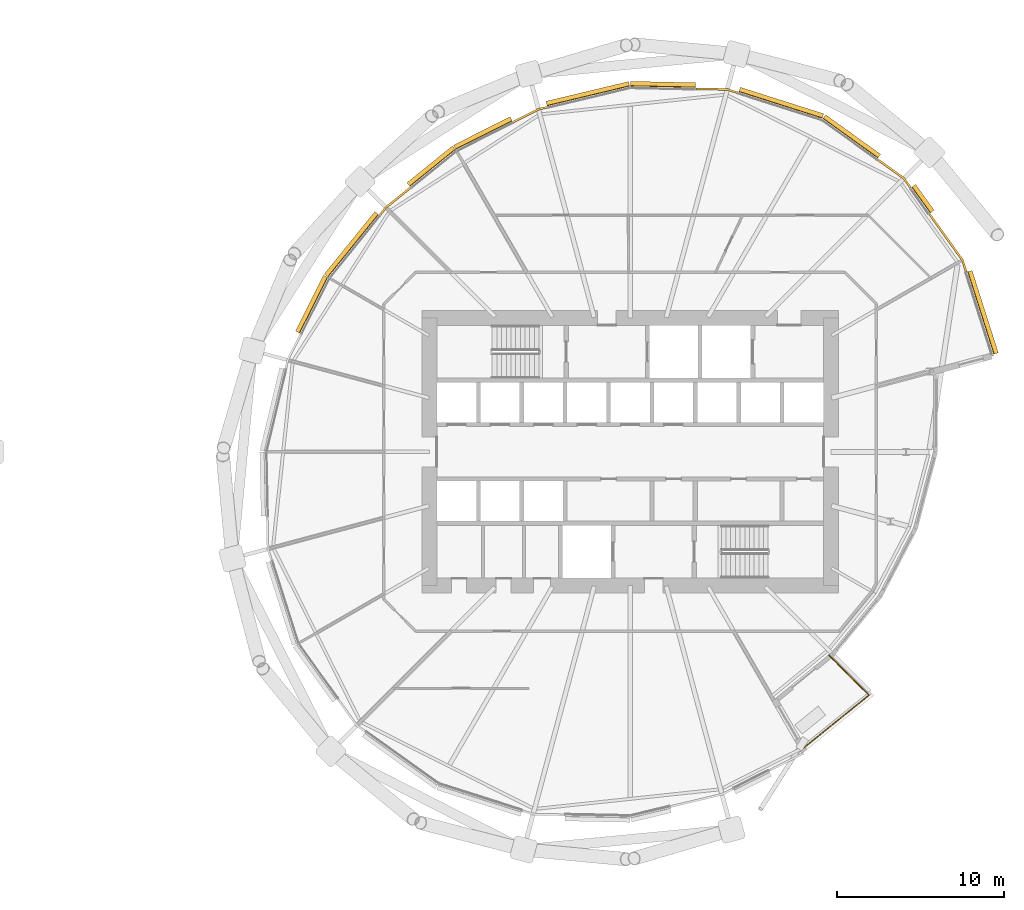
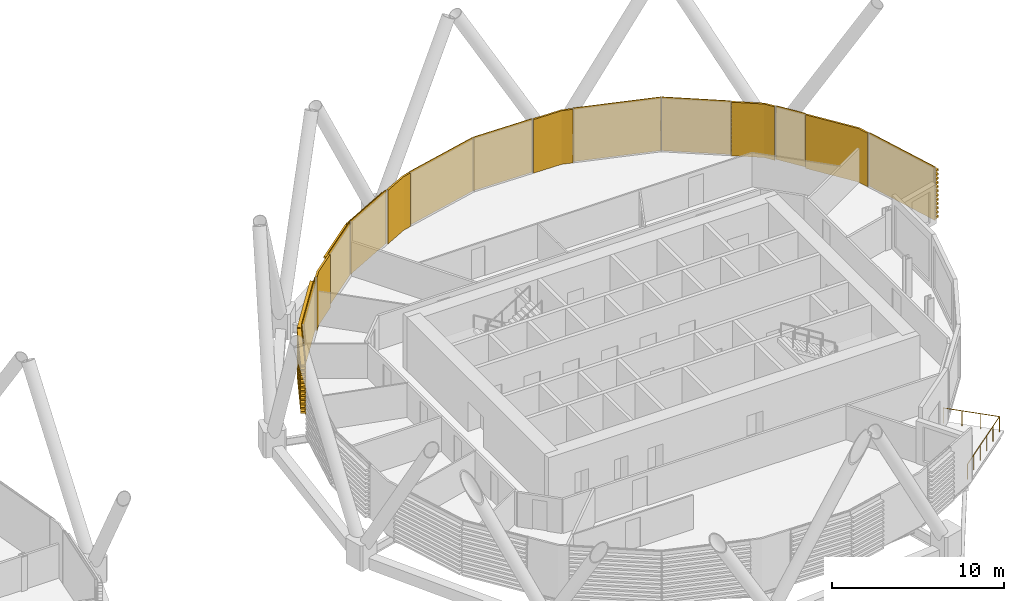
# One storey, part 39 of 40: 15 coverings, 1 railing.
"""IFC4 building model written with IfcOpenShell, lengths in metres."""

from ifc_helpers import new_model, si_unit, direction, frame, origin, origin_2d, place, context, subcontext, project, spatial, polyline, circle, outline, extrude, material, layer, layer_set, material_profile, profile_set, type_object, element, save


model = new_model("IFC4")

# Units and contexts
model_context = context("Model", 3, precision=1e-05, world=origin(), true_north=direction((0.0, 1.0)))
body_context = subcontext(model_context, "Body", "Model", "MODEL_VIEW")
ifc_project = project(units=[si_unit("LENGTHUNIT", "METRE"), si_unit("AREAUNIT", "SQUARE_METRE"), si_unit("VOLUMEUNIT", "CUBIC_METRE"), si_unit("PLANEANGLEUNIT", "RADIAN"), si_unit("MASSUNIT", "GRAM", prefix="KILO")], contexts=[model_context])

# Site, building, storey
site_placement = place(None, origin())
site = spatial("IfcSite", under=ifc_project, at=site_placement, CompositionType="ELEMENT")
building_placement = place(site_placement, origin())
building = spatial("IfcBuilding", under=site, at=building_placement, Name="Rimbun Link Towers", CompositionType="ELEMENT")
storey_placement = place(building_placement, frame((0.0, 0.0, 52.800048828125)))
storey = spatial("IfcBuildingStorey", under=building, at=storey_placement, Name="L12", CompositionType="ELEMENT", Elevation=52.800048828125)

# Railing
ifc_material_1 = material(Name="Stainless steel grade 316", Category="steel")
railing_type = type_object("IfcRailingType", Name="GUARD stainless rail and posts", PredefinedType="GUARDRAIL", material=ifc_material_1)
railing_placement = place(storey_placement, frame((41.994384765625, -17.80615234375, 0.0)))
element("IfcRailing", 1, at=railing_placement, inside=storey, type_object=railing_type, Name="GUARD", PredefinedType="GUARDRAIL", context=body_context, shape_type="SweptSolid", body=[
    extrude(circle(Radius=0.02392578125, at=origin_2d()), frame((0.0, 0.0, 1.076171875), z_axis=(0.777280023547, 0.629154802091, 0.0), x_axis=(-0.629154802091, 0.777280023547, 0.0)), (0.0, 0.0, 1.0), 5.17529296875),
    extrude(circle(Radius=0.02392578125, at=origin_2d()), frame((4.022705078125, 3.256103515625, 1.076171875), z_axis=(-0.707106781187, 0.707106781187, 0.0), x_axis=(-0.707106781187, -0.707106781187, 0.0)), (0.0, 0.0, 1.0), 3.377685546875),
    extrude(circle(Radius=0.02099609375, at=origin_2d()), origin(), (0.0, 0.0, 1.0), 1.052001953125),
    extrude(circle(Radius=0.02099609375, at=origin_2d()), frame((0.804443359375, 0.651123046875, 0.0)), (0.0, 0.0, 1.0), 1.052001953125),
    extrude(circle(Radius=0.02099609375, at=origin_2d()), frame((1.609130859375, 1.302490234375, 0.0)), (0.0, 0.0, 1.0), 1.052001953125),
    extrude(circle(Radius=0.02099609375, at=origin_2d()), frame((2.41357421875, 1.95361328125, 0.0)), (0.0, 0.0, 1.0), 1.052001953125),
    extrude(circle(Radius=0.02099609375, at=origin_2d()), frame((3.21826171875, 2.60498046875, 0.0)), (0.0, 0.0, 1.0), 1.052001953125),
    extrude(circle(Radius=0.02099609375, at=origin_2d()), frame((4.022705078125, 3.256103515625, 0.0)), (0.0, 0.0, 1.0), 1.052001953125),
    extrude(circle(Radius=0.02099609375, at=origin_2d()), frame((3.2265625, 4.05224609375, 0.0)), (0.0, 0.0, 1.0), 1.052001953125),
    extrude(circle(Radius=0.02099609375, at=origin_2d()), frame((2.430419921875, 4.848388671875, 0.0)), (0.0, 0.0, 1.0), 1.052001953125),
    extrude(circle(Radius=0.02099609375, at=origin_2d()), frame((1.63427734375, 5.64453125, 0.0)), (0.0, 0.0, 1.0), 1.052001953125),
])

# Coverings
ifc_material_2 = material(Name="Terracotta", Category="masonry")
ifc_layer = layer(ifc_material_2, 0.1201171875)
ifc_layer_set = layer_set([ifc_layer], Name="LINK PIER terracotta cladding 120")
covering_type_1 = type_object("IfcCoveringType", Name="LINK PIER terracotta cladding 120", PredefinedType="CLADDING", material=ifc_layer_set)
covering_1_placement = place(storey_placement, origin())
element("IfcCovering", 2, at=covering_1_placement, inside=storey, type_object=covering_type_1, Name="LINK PIER cladding", PredefinedType="CLADDING", context=body_context, shape_type="SweptSolid", body=[
    extrude(outline(polyline([(46.503662109375, 17.432861328125), (48.063720703125, 16.313720703125), (48.4541015625, 15.769287109375), (48.5517578125, 15.839111328125), (48.149658203125, 16.399658203125), (46.57373046875, 17.530517578125), (46.503662109375, 17.432861328125)])), origin(), (0.0, 0.0, 1.0), 3.800048828125),
])
covering_2_placement = place(storey_placement, origin())
element("IfcCovering", 3, at=covering_2_placement, inside=storey, type_object=covering_type_1, Name="LINK PIER cladding", PredefinedType="CLADDING", context=body_context, shape_type="SweptSolid", body=[
    extrude(outline(polyline([(35.67041015625, 21.647705078125), (37.539794921875, 21.6083984375), (38.178466796875, 21.4052734375), (38.21484375, 21.51953125), (37.559814453125, 21.72802734375), (35.6728515625, 21.767578125), (35.67041015625, 21.647705078125)])), origin(), (0.0, 0.0, 1.0), 3.800048828125),
])
covering_3_placement = place(storey_placement, origin())
element("IfcCovering", 4, at=covering_3_placement, inside=storey, type_object=covering_type_1, Name="LINK PIER cladding", PredefinedType="CLADDING", context=body_context, shape_type="SweptSolid", body=[
    extrude(outline(polyline([(24.78564453125, 19.672119140625), (26.278076171875, 20.421630859375), (26.78369140625, 20.54248046875), (26.755859375, 20.6591796875), (26.236572265625, 20.53515625), (24.731689453125, 19.779296875), (24.78564453125, 19.672119140625)])), origin(), (0.0, 0.0, 1.0), 3.800048828125),
])
covering_4_placement = place(storey_placement, origin())
element("IfcCovering", 5, at=covering_4_placement, inside=storey, type_object=covering_type_1, Name="LINK PIER cladding", PredefinedType="CLADDING", context=body_context, shape_type="SweptSolid", body=[
    extrude(outline(polyline([(16.82568359375, 14.12255859375), (17.184326171875, 14.565673828125), (18.6376953125, 15.7421875), (18.562255859375, 15.83544921875), (17.098876953125, 14.651123046875), (16.732421875, 14.1982421875), (16.82568359375, 14.12255859375)])), origin(), (0.0, 0.0, 1.0), 3.800048828125),
])
covering_5_placement = place(storey_placement, origin())
element("IfcCovering", 6, at=covering_5_placement, inside=storey, type_object=covering_type_1, Name="LINK PIER cladding", PredefinedType="CLADDING", context=body_context, shape_type="SweptSolid", body=[
    extrude(outline(polyline([(49.59716796875, 14.176513671875), (51.56201171875, 11.4384765625), (51.780029296875, 10.752197265625), (51.89453125, 10.78857421875), (51.67041015625, 11.492919921875), (49.694580078125, 14.246337890625), (49.59716796875, 14.176513671875)])), origin(), (0.0, 0.0, 1.0), 3.800048828125),
])
ifc_material_3 = material(Name="Terracotta", Category="masonry")
ifc_material_profile = material_profile(ifc_material_3, outline(polyline([(0.123046875, 0.0), (0.1630859375, 0.0), (0.1630859375, 0.10009765625), (0.423095703125, 0.10009765625), (0.423095703125, 0.219970703125), (0.1630859375, 0.219970703125), (0.1630859375, 0.39990234375), (0.423095703125, 0.39990234375), (0.423095703125, 0.52001953125), (0.1630859375, 0.52001953125), (0.1630859375, 0.699951171875), (0.423095703125, 0.699951171875), (0.423095703125, 0.820068359375), (0.1630859375, 0.820068359375), (0.1630859375, 1.0), (0.423095703125, 1.0), (0.423095703125, 1.1201171875), (0.1630859375, 1.1201171875), (0.1630859375, 1.300048828125), (0.423095703125, 1.300048828125), (0.423095703125, 1.419921875), (0.1630859375, 1.419921875), (0.1630859375, 1.60009765625), (0.423095703125, 1.60009765625), (0.423095703125, 1.719970703125), (0.1630859375, 1.719970703125), (0.1630859375, 1.89990234375), (0.423095703125, 1.89990234375), (0.423095703125, 2.02001953125), (0.1630859375, 2.02001953125), (0.1630859375, 2.199951171875), (0.423095703125, 2.199951171875), (0.423095703125, 2.320068359375), (0.1630859375, 2.320068359375), (0.1630859375, 2.5), (0.423095703125, 2.5), (0.423095703125, 2.6201171875), (0.1630859375, 2.6201171875), (0.1630859375, 2.800048828125), (0.423095703125, 2.800048828125), (0.423095703125, 2.919921875), (0.1630859375, 2.919921875), (0.1630859375, 3.10009765625), (0.423095703125, 3.10009765625), (0.423095703125, 3.219970703125), (0.1630859375, 3.219970703125), (0.1630859375, 3.39990234375), (0.423095703125, 3.39990234375), (0.423095703125, 3.52001953125), (0.1630859375, 3.52001953125), (0.1630859375, 3.800048828125), (0.123046875, 3.800048828125), (0.123046875, 0.0)])), Name="BAGUETTE 120X300")
ifc_profile_set = profile_set([ifc_material_profile], Name="Terracotta")
covering_type_2 = type_object("IfcCoveringType", Name="TERRACOTTA BAGUETTE 120X300 H3800", PredefinedType="CLADDING", material=ifc_profile_set)
covering_6_placement = place(storey_placement, frame((43.1884765625, 19.81201171875, 0.0), z_axis=(0.812444527333, -0.583038497877, 0.0), x_axis=(0.583038497877, 0.812444527333, 0.0)))
element("IfcCovering", 7, at=covering_6_placement, inside=storey, type_object=covering_type_2, Name="TERRACOTTA BAGUETTE", PredefinedType="CLADDING", context=body_context, shape_type="SweptSolid", body=[
    extrude(outline(polyline([(0.123046875, 0.0), (0.1630859375, 0.0), (0.1630859375, 0.10009765625), (0.423095703125, 0.10009765625), (0.423095703125, 0.219970703125), (0.1630859375, 0.219970703125), (0.1630859375, 0.39990234375), (0.423095703125, 0.39990234375), (0.423095703125, 0.52001953125), (0.1630859375, 0.52001953125), (0.1630859375, 0.699951171875), (0.423095703125, 0.699951171875), (0.423095703125, 0.820068359375), (0.1630859375, 0.820068359375), (0.1630859375, 1.0), (0.423095703125, 1.0), (0.423095703125, 1.1201171875), (0.1630859375, 1.1201171875), (0.1630859375, 1.300048828125), (0.423095703125, 1.300048828125), (0.423095703125, 1.419921875), (0.1630859375, 1.419921875), (0.1630859375, 1.60009765625), (0.423095703125, 1.60009765625), (0.423095703125, 1.719970703125), (0.1630859375, 1.719970703125), (0.1630859375, 1.89990234375), (0.423095703125, 1.89990234375), (0.423095703125, 2.02001953125), (0.1630859375, 2.02001953125), (0.1630859375, 2.199951171875), (0.423095703125, 2.199951171875), (0.423095703125, 2.320068359375), (0.1630859375, 2.320068359375), (0.1630859375, 2.5), (0.423095703125, 2.5), (0.423095703125, 2.6201171875), (0.1630859375, 2.6201171875), (0.1630859375, 2.800048828125), (0.423095703125, 2.800048828125), (0.423095703125, 2.919921875), (0.1630859375, 2.919921875), (0.1630859375, 3.10009765625), (0.423095703125, 3.10009765625), (0.423095703125, 3.219970703125), (0.1630859375, 3.219970703125), (0.1630859375, 3.39990234375), (0.423095703125, 3.39990234375), (0.423095703125, 3.52001953125), (0.1630859375, 3.52001953125), (0.1630859375, 3.800048828125), (0.123046875, 3.800048828125), (0.123046875, 0.0)])), origin(), (0.0, 0.0, 1.0), 4.050537109375),
])
covering_7_placement = place(storey_placement, frame((38.20703125, 21.396240234375, 0.0), z_axis=(0.952968707508, -0.303068709225, 0.0), x_axis=(0.303068709225, 0.952968707508, 0.0)))
element("IfcCovering", 8, at=covering_7_placement, inside=storey, type_object=covering_type_2, Name="TERRACOTTA BAGUETTE", PredefinedType="CLADDING", context=body_context, shape_type="SweptSolid", body=[
    extrude(outline(polyline([(0.123046875, 0.0), (0.1630859375, 0.0), (0.1630859375, 0.10009765625), (0.423095703125, 0.10009765625), (0.423095703125, 0.219970703125), (0.1630859375, 0.219970703125), (0.1630859375, 0.39990234375), (0.423095703125, 0.39990234375), (0.423095703125, 0.52001953125), (0.1630859375, 0.52001953125), (0.1630859375, 0.699951171875), (0.423095703125, 0.699951171875), (0.423095703125, 0.820068359375), (0.1630859375, 0.820068359375), (0.1630859375, 1.0), (0.423095703125, 1.0), (0.423095703125, 1.1201171875), (0.1630859375, 1.1201171875), (0.1630859375, 1.300048828125), (0.423095703125, 1.300048828125), (0.423095703125, 1.419921875), (0.1630859375, 1.419921875), (0.1630859375, 1.60009765625), (0.423095703125, 1.60009765625), (0.423095703125, 1.719970703125), (0.1630859375, 1.719970703125), (0.1630859375, 1.89990234375), (0.423095703125, 1.89990234375), (0.423095703125, 2.02001953125), (0.1630859375, 2.02001953125), (0.1630859375, 2.199951171875), (0.423095703125, 2.199951171875), (0.423095703125, 2.320068359375), (0.1630859375, 2.320068359375), (0.1630859375, 2.5), (0.423095703125, 2.5), (0.423095703125, 2.6201171875), (0.1630859375, 2.6201171875), (0.1630859375, 2.800048828125), (0.423095703125, 2.800048828125), (0.423095703125, 2.919921875), (0.1630859375, 2.919921875), (0.1630859375, 3.10009765625), (0.423095703125, 3.10009765625), (0.423095703125, 3.219970703125), (0.1630859375, 3.219970703125), (0.1630859375, 3.39990234375), (0.423095703125, 3.39990234375), (0.423095703125, 3.52001953125), (0.1630859375, 3.52001953125), (0.1630859375, 3.800048828125), (0.123046875, 3.800048828125), (0.123046875, 0.0)])), origin(), (0.0, 0.0, 1.0), 5.227294921875),
])
covering_8_placement = place(storey_placement, frame((31.75, 21.730224609375, 0.0), z_axis=(0.999779091943, -0.021018261425, 0.0), x_axis=(0.021018261425, 0.999779091943, 0.0)))
element("IfcCovering", 9, at=covering_8_placement, inside=storey, type_object=covering_type_2, Name="TERRACOTTA BAGUETTE", PredefinedType="CLADDING", context=body_context, shape_type="SweptSolid", body=[
    extrude(outline(polyline([(0.123046875, 0.0), (0.1630859375, 0.0), (0.1630859375, 0.10009765625), (0.423095703125, 0.10009765625), (0.423095703125, 0.219970703125), (0.1630859375, 0.219970703125), (0.1630859375, 0.39990234375), (0.423095703125, 0.39990234375), (0.423095703125, 0.52001953125), (0.1630859375, 0.52001953125), (0.1630859375, 0.699951171875), (0.423095703125, 0.699951171875), (0.423095703125, 0.820068359375), (0.1630859375, 0.820068359375), (0.1630859375, 1.0), (0.423095703125, 1.0), (0.423095703125, 1.1201171875), (0.1630859375, 1.1201171875), (0.1630859375, 1.300048828125), (0.423095703125, 1.300048828125), (0.423095703125, 1.419921875), (0.1630859375, 1.419921875), (0.1630859375, 1.60009765625), (0.423095703125, 1.60009765625), (0.423095703125, 1.719970703125), (0.1630859375, 1.719970703125), (0.1630859375, 1.89990234375), (0.423095703125, 1.89990234375), (0.423095703125, 2.02001953125), (0.1630859375, 2.02001953125), (0.1630859375, 2.199951171875), (0.423095703125, 2.199951171875), (0.423095703125, 2.320068359375), (0.1630859375, 2.320068359375), (0.1630859375, 2.5), (0.423095703125, 2.5), (0.423095703125, 2.6201171875), (0.1630859375, 2.6201171875), (0.1630859375, 2.800048828125), (0.423095703125, 2.800048828125), (0.423095703125, 2.919921875), (0.1630859375, 2.919921875), (0.1630859375, 3.10009765625), (0.423095703125, 3.10009765625), (0.423095703125, 3.219970703125), (0.1630859375, 3.219970703125), (0.1630859375, 3.39990234375), (0.423095703125, 3.39990234375), (0.423095703125, 3.52001953125), (0.1630859375, 3.52001953125), (0.1630859375, 3.800048828125), (0.123046875, 3.800048828125), (0.123046875, 0.0)])), origin(), (0.0, 0.0, 1.0), 3.891357421875),
])
covering_9_placement = place(storey_placement, frame((26.81298828125, 20.549560546875, 0.0), z_axis=(0.972575580595, 0.232587059033, 0.0), x_axis=(-0.232587059033, 0.972575580595, 0.0)))
element("IfcCovering", 10, at=covering_9_placement, inside=storey, type_object=covering_type_2, Name="TERRACOTTA BAGUETTE", PredefinedType="CLADDING", context=body_context, shape_type="SweptSolid", body=[
    extrude(outline(polyline([(0.123046875, 0.0), (0.1630859375, 0.0), (0.1630859375, 0.10009765625), (0.423095703125, 0.10009765625), (0.423095703125, 0.219970703125), (0.1630859375, 0.219970703125), (0.1630859375, 0.39990234375), (0.423095703125, 0.39990234375), (0.423095703125, 0.52001953125), (0.1630859375, 0.52001953125), (0.1630859375, 0.699951171875), (0.423095703125, 0.699951171875), (0.423095703125, 0.820068359375), (0.1630859375, 0.820068359375), (0.1630859375, 1.0), (0.423095703125, 1.0), (0.423095703125, 1.1201171875), (0.1630859375, 1.1201171875), (0.1630859375, 1.300048828125), (0.423095703125, 1.300048828125), (0.423095703125, 1.419921875), (0.1630859375, 1.419921875), (0.1630859375, 1.60009765625), (0.423095703125, 1.60009765625), (0.423095703125, 1.719970703125), (0.1630859375, 1.719970703125), (0.1630859375, 1.89990234375), (0.423095703125, 1.89990234375), (0.423095703125, 2.02001953125), (0.1630859375, 2.02001953125), (0.1630859375, 2.199951171875), (0.423095703125, 2.199951171875), (0.423095703125, 2.320068359375), (0.1630859375, 2.320068359375), (0.1630859375, 2.5), (0.423095703125, 2.5), (0.423095703125, 2.6201171875), (0.1630859375, 2.6201171875), (0.1630859375, 2.800048828125), (0.423095703125, 2.800048828125), (0.423095703125, 2.919921875), (0.1630859375, 2.919921875), (0.1630859375, 3.10009765625), (0.423095703125, 3.10009765625), (0.423095703125, 3.219970703125), (0.1630859375, 3.219970703125), (0.1630859375, 3.39990234375), (0.423095703125, 3.39990234375), (0.423095703125, 3.52001953125), (0.1630859375, 3.52001953125), (0.1630859375, 3.800048828125), (0.123046875, 3.800048828125), (0.123046875, 0.0)])), origin(), (0.0, 0.0, 1.0), 5.076171875),
])
covering_10_placement = place(storey_placement, frame((21.3798828125, 17.961669921875, 0.0), z_axis=(0.893625110825, 0.448814172351, 0.0), x_axis=(-0.448814172351, 0.893625110825, 0.0)))
element("IfcCovering", 11, at=covering_10_placement, inside=storey, type_object=covering_type_2, Name="TERRACOTTA BAGUETTE", PredefinedType="CLADDING", context=body_context, shape_type="SweptSolid", body=[
    extrude(outline(polyline([(0.123046875, 0.0), (0.1630859375, 0.0), (0.1630859375, 0.10009765625), (0.423095703125, 0.10009765625), (0.423095703125, 0.219970703125), (0.1630859375, 0.219970703125), (0.1630859375, 0.39990234375), (0.423095703125, 0.39990234375), (0.423095703125, 0.52001953125), (0.1630859375, 0.52001953125), (0.1630859375, 0.699951171875), (0.423095703125, 0.699951171875), (0.423095703125, 0.820068359375), (0.1630859375, 0.820068359375), (0.1630859375, 1.0), (0.423095703125, 1.0), (0.423095703125, 1.1201171875), (0.1630859375, 1.1201171875), (0.1630859375, 1.300048828125), (0.423095703125, 1.300048828125), (0.423095703125, 1.419921875), (0.1630859375, 1.419921875), (0.1630859375, 1.60009765625), (0.423095703125, 1.60009765625), (0.423095703125, 1.719970703125), (0.1630859375, 1.719970703125), (0.1630859375, 1.89990234375), (0.423095703125, 1.89990234375), (0.423095703125, 2.02001953125), (0.1630859375, 2.02001953125), (0.1630859375, 2.199951171875), (0.423095703125, 2.199951171875), (0.423095703125, 2.320068359375), (0.1630859375, 2.320068359375), (0.1630859375, 2.5), (0.423095703125, 2.5), (0.423095703125, 2.6201171875), (0.1630859375, 2.6201171875), (0.1630859375, 2.800048828125), (0.423095703125, 2.800048828125), (0.423095703125, 2.919921875), (0.1630859375, 2.919921875), (0.1630859375, 3.10009765625), (0.423095703125, 3.10009765625), (0.423095703125, 3.219970703125), (0.1630859375, 3.219970703125), (0.1630859375, 3.39990234375), (0.423095703125, 3.39990234375), (0.423095703125, 3.52001953125), (0.1630859375, 3.52001953125), (0.1630859375, 3.800048828125), (0.123046875, 3.800048828125), (0.123046875, 0.0)])), origin(), (0.0, 0.0, 1.0), 3.781005859375),
])
covering_11_placement = place(storey_placement, frame((18.6611328125, 15.760986328125, 0.0), z_axis=(0.777274127794, 0.629162085842, 0.0), x_axis=(-0.629162085842, 0.777274127794, 0.0)))
element("IfcCovering", 12, at=covering_11_placement, inside=storey, type_object=covering_type_2, Name="TERRACOTTA BAGUETTE", PredefinedType="CLADDING", context=body_context, shape_type="SweptSolid", body=[
    extrude(outline(polyline([(0.123046875, 0.0), (0.1630859375, 0.0), (0.1630859375, 0.10009765625), (0.423095703125, 0.10009765625), (0.423095703125, 0.219970703125), (0.1630859375, 0.219970703125), (0.1630859375, 0.39990234375), (0.423095703125, 0.39990234375), (0.423095703125, 0.52001953125), (0.1630859375, 0.52001953125), (0.1630859375, 0.699951171875), (0.423095703125, 0.699951171875), (0.423095703125, 0.820068359375), (0.1630859375, 0.820068359375), (0.1630859375, 1.0), (0.423095703125, 1.0), (0.423095703125, 1.1201171875), (0.1630859375, 1.1201171875), (0.1630859375, 1.300048828125), (0.423095703125, 1.300048828125), (0.423095703125, 1.419921875), (0.1630859375, 1.419921875), (0.1630859375, 1.60009765625), (0.423095703125, 1.60009765625), (0.423095703125, 1.719970703125), (0.1630859375, 1.719970703125), (0.1630859375, 1.89990234375), (0.423095703125, 1.89990234375), (0.423095703125, 2.02001953125), (0.1630859375, 2.02001953125), (0.1630859375, 2.199951171875), (0.423095703125, 2.199951171875), (0.423095703125, 2.320068359375), (0.1630859375, 2.320068359375), (0.1630859375, 2.5), (0.423095703125, 2.5), (0.423095703125, 2.6201171875), (0.1630859375, 2.6201171875), (0.1630859375, 2.800048828125), (0.423095703125, 2.800048828125), (0.423095703125, 2.919921875), (0.1630859375, 2.919921875), (0.1630859375, 3.10009765625), (0.423095703125, 3.10009765625), (0.423095703125, 3.219970703125), (0.1630859375, 3.219970703125), (0.1630859375, 3.39990234375), (0.423095703125, 3.39990234375), (0.423095703125, 3.52001953125), (0.1630859375, 3.52001953125), (0.1630859375, 3.800048828125), (0.123046875, 3.800048828125), (0.123046875, 0.0)])), origin(), (0.0, 0.0, 1.0), 3.497802734375),
])
covering_12_placement = place(storey_placement, frame((13.788330078125, 10.3701171875, 0.0), z_axis=(0.629152848556, 0.777281604796, 0.0), x_axis=(-0.777281604796, 0.629152848556, 0.0)))
element("IfcCovering", 13, at=covering_12_placement, inside=storey, type_object=covering_type_2, Name="TERRACOTTA BAGUETTE", PredefinedType="CLADDING", context=body_context, shape_type="SweptSolid", body=[
    extrude(outline(polyline([(0.123046875, 0.0), (0.1630859375, 0.0), (0.1630859375, 0.10009765625), (0.423095703125, 0.10009765625), (0.423095703125, 0.219970703125), (0.1630859375, 0.219970703125), (0.1630859375, 0.39990234375), (0.423095703125, 0.39990234375), (0.423095703125, 0.52001953125), (0.1630859375, 0.52001953125), (0.1630859375, 0.699951171875), (0.423095703125, 0.699951171875), (0.423095703125, 0.820068359375), (0.1630859375, 0.820068359375), (0.1630859375, 1.0), (0.423095703125, 1.0), (0.423095703125, 1.1201171875), (0.1630859375, 1.1201171875), (0.1630859375, 1.300048828125), (0.423095703125, 1.300048828125), (0.423095703125, 1.419921875), (0.1630859375, 1.419921875), (0.1630859375, 1.60009765625), (0.423095703125, 1.60009765625), (0.423095703125, 1.719970703125), (0.1630859375, 1.719970703125), (0.1630859375, 1.89990234375), (0.423095703125, 1.89990234375), (0.423095703125, 2.02001953125), (0.1630859375, 2.02001953125), (0.1630859375, 2.199951171875), (0.423095703125, 2.199951171875), (0.423095703125, 2.320068359375), (0.1630859375, 2.320068359375), (0.1630859375, 2.5), (0.423095703125, 2.5), (0.423095703125, 2.6201171875), (0.1630859375, 2.6201171875), (0.1630859375, 2.800048828125), (0.423095703125, 2.800048828125), (0.423095703125, 2.919921875), (0.1630859375, 2.919921875), (0.1630859375, 3.10009765625), (0.423095703125, 3.10009765625), (0.423095703125, 3.219970703125), (0.1630859375, 3.219970703125), (0.1630859375, 3.39990234375), (0.423095703125, 3.39990234375), (0.423095703125, 3.52001953125), (0.1630859375, 3.52001953125), (0.1630859375, 3.800048828125), (0.123046875, 3.800048828125), (0.123046875, 0.0)])), origin(), (0.0, 0.0, 1.0), 4.7978515625),
])
covering_13_placement = place(storey_placement, frame((12.11376953125, 7.035888671875, 0.0), z_axis=(0.448809464282, 0.89362747539, 0.0), x_axis=(-0.89362747539, 0.448809464282, 0.0)))
element("IfcCovering", 14, at=covering_13_placement, inside=storey, type_object=covering_type_2, Name="TERRACOTTA BAGUETTE", PredefinedType="CLADDING", context=body_context, shape_type="SweptSolid", body=[
    extrude(outline(polyline([(0.123046875, 0.0), (0.1630859375, 0.0), (0.1630859375, 0.10009765625), (0.423095703125, 0.10009765625), (0.423095703125, 0.219970703125), (0.1630859375, 0.219970703125), (0.1630859375, 0.39990234375), (0.423095703125, 0.39990234375), (0.423095703125, 0.52001953125), (0.1630859375, 0.52001953125), (0.1630859375, 0.699951171875), (0.423095703125, 0.699951171875), (0.423095703125, 0.820068359375), (0.1630859375, 0.820068359375), (0.1630859375, 1.0), (0.423095703125, 1.0), (0.423095703125, 1.1201171875), (0.1630859375, 1.1201171875), (0.1630859375, 1.300048828125), (0.423095703125, 1.300048828125), (0.423095703125, 1.419921875), (0.1630859375, 1.419921875), (0.1630859375, 1.60009765625), (0.423095703125, 1.60009765625), (0.423095703125, 1.719970703125), (0.1630859375, 1.719970703125), (0.1630859375, 1.89990234375), (0.423095703125, 1.89990234375), (0.423095703125, 2.02001953125), (0.1630859375, 2.02001953125), (0.1630859375, 2.199951171875), (0.423095703125, 2.199951171875), (0.423095703125, 2.320068359375), (0.1630859375, 2.320068359375), (0.1630859375, 2.5), (0.423095703125, 2.5), (0.423095703125, 2.6201171875), (0.1630859375, 2.6201171875), (0.1630859375, 2.800048828125), (0.423095703125, 2.800048828125), (0.423095703125, 2.919921875), (0.1630859375, 2.919921875), (0.1630859375, 3.10009765625), (0.423095703125, 3.10009765625), (0.423095703125, 3.219970703125), (0.1630859375, 3.219970703125), (0.1630859375, 3.39990234375), (0.423095703125, 3.39990234375), (0.423095703125, 3.52001953125), (0.1630859375, 3.52001953125), (0.1630859375, 3.800048828125), (0.123046875, 3.800048828125), (0.123046875, 0.0)])), origin(), (0.0, 0.0, 1.0), 3.731201171875),
])
covering_14_placement = place(storey_placement, frame((51.789306640625, 10.7236328125, 0.0), z_axis=(0.303069353563, -0.952968502591, 0.0), x_axis=(0.952968502591, 0.303069353563, 0.0)))
element("IfcCovering", 15, at=covering_14_placement, inside=storey, type_object=covering_type_2, Name="TERRACOTTA BAGUETTE", PredefinedType="CLADDING", context=body_context, shape_type="SweptSolid", body=[
    extrude(outline(polyline([(0.123046875, 0.0), (0.1630859375, 0.0), (0.1630859375, 0.10009765625), (0.423095703125, 0.10009765625), (0.423095703125, 0.219970703125), (0.1630859375, 0.219970703125), (0.1630859375, 0.39990234375), (0.423095703125, 0.39990234375), (0.423095703125, 0.52001953125), (0.1630859375, 0.52001953125), (0.1630859375, 0.699951171875), (0.423095703125, 0.699951171875), (0.423095703125, 0.820068359375), (0.1630859375, 0.820068359375), (0.1630859375, 1.0), (0.423095703125, 1.0), (0.423095703125, 1.1201171875), (0.1630859375, 1.1201171875), (0.1630859375, 1.300048828125), (0.423095703125, 1.300048828125), (0.423095703125, 1.419921875), (0.1630859375, 1.419921875), (0.1630859375, 1.60009765625), (0.423095703125, 1.60009765625), (0.423095703125, 1.719970703125), (0.1630859375, 1.719970703125), (0.1630859375, 1.89990234375), (0.423095703125, 1.89990234375), (0.423095703125, 2.02001953125), (0.1630859375, 2.02001953125), (0.1630859375, 2.199951171875), (0.423095703125, 2.199951171875), (0.423095703125, 2.320068359375), (0.1630859375, 2.320068359375), (0.1630859375, 2.5), (0.423095703125, 2.5), (0.423095703125, 2.6201171875), (0.1630859375, 2.6201171875), (0.1630859375, 2.800048828125), (0.423095703125, 2.800048828125), (0.423095703125, 2.919921875), (0.1630859375, 2.919921875), (0.1630859375, 3.10009765625), (0.423095703125, 3.10009765625), (0.423095703125, 3.219970703125), (0.1630859375, 3.219970703125), (0.1630859375, 3.39990234375), (0.423095703125, 3.39990234375), (0.423095703125, 3.52001953125), (0.1630859375, 3.52001953125), (0.1630859375, 3.800048828125), (0.123046875, 3.800048828125), (0.123046875, 0.0)])), origin(), (0.0, 0.0, 1.0), 5.17724609375),
])
covering_15_placement = place(storey_placement, frame((48.4716796875, 15.744873046875, 0.0), z_axis=(0.582950280399, -0.812507828013, 0.0), x_axis=(0.812507828013, 0.582950280399, 0.0)))
element("IfcCovering", 16, at=covering_15_placement, inside=storey, type_object=covering_type_2, Name="TERRACOTTA BAGUETTE", PredefinedType="CLADDING", context=body_context, shape_type="SweptSolid", body=[
    extrude(outline(polyline([(0.123046875, 0.0), (0.1630859375, 0.0), (0.1630859375, 0.10009765625), (0.423095703125, 0.10009765625), (0.423095703125, 0.219970703125), (0.1630859375, 0.219970703125), (0.1630859375, 0.39990234375), (0.423095703125, 0.39990234375), (0.423095703125, 0.52001953125), (0.1630859375, 0.52001953125), (0.1630859375, 0.699951171875), (0.423095703125, 0.699951171875), (0.423095703125, 0.820068359375), (0.1630859375, 0.820068359375), (0.1630859375, 1.0), (0.423095703125, 1.0), (0.423095703125, 1.1201171875), (0.1630859375, 1.1201171875), (0.1630859375, 1.300048828125), (0.423095703125, 1.300048828125), (0.423095703125, 1.419921875), (0.1630859375, 1.419921875), (0.1630859375, 1.60009765625), (0.423095703125, 1.60009765625), (0.423095703125, 1.719970703125), (0.1630859375, 1.719970703125), (0.1630859375, 1.89990234375), (0.423095703125, 1.89990234375), (0.423095703125, 2.02001953125), (0.1630859375, 2.02001953125), (0.1630859375, 2.199951171875), (0.423095703125, 2.199951171875), (0.423095703125, 2.320068359375), (0.1630859375, 2.320068359375), (0.1630859375, 2.5), (0.423095703125, 2.5), (0.423095703125, 2.6201171875), (0.1630859375, 2.6201171875), (0.1630859375, 2.800048828125), (0.423095703125, 2.800048828125), (0.423095703125, 2.919921875), (0.1630859375, 2.919921875), (0.1630859375, 3.10009765625), (0.423095703125, 3.10009765625), (0.423095703125, 3.219970703125), (0.1630859375, 3.219970703125), (0.1630859375, 3.39990234375), (0.423095703125, 3.39990234375), (0.423095703125, 3.52001953125), (0.1630859375, 3.52001953125), (0.1630859375, 3.800048828125), (0.123046875, 3.800048828125), (0.123046875, 0.0)])), origin(), (0.0, 0.0, 1.0), 1.900634765625),
])

save(model, "model.ifc")
